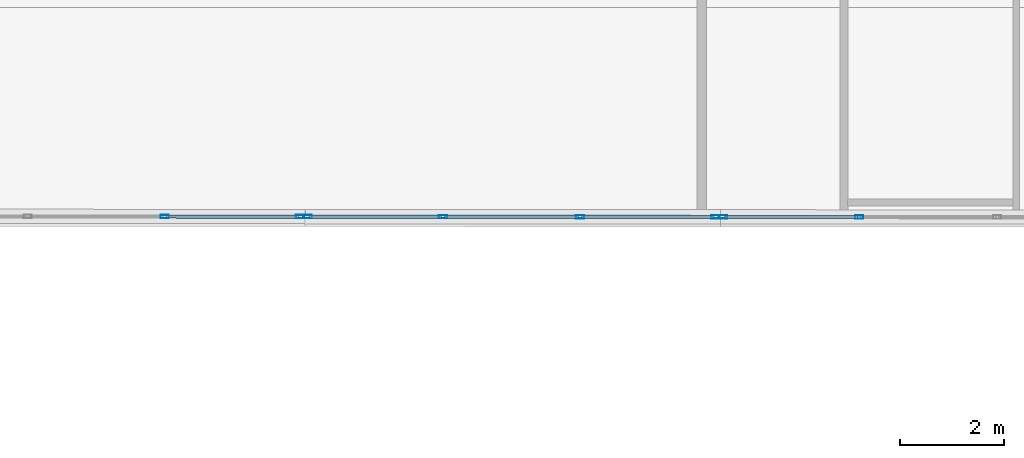
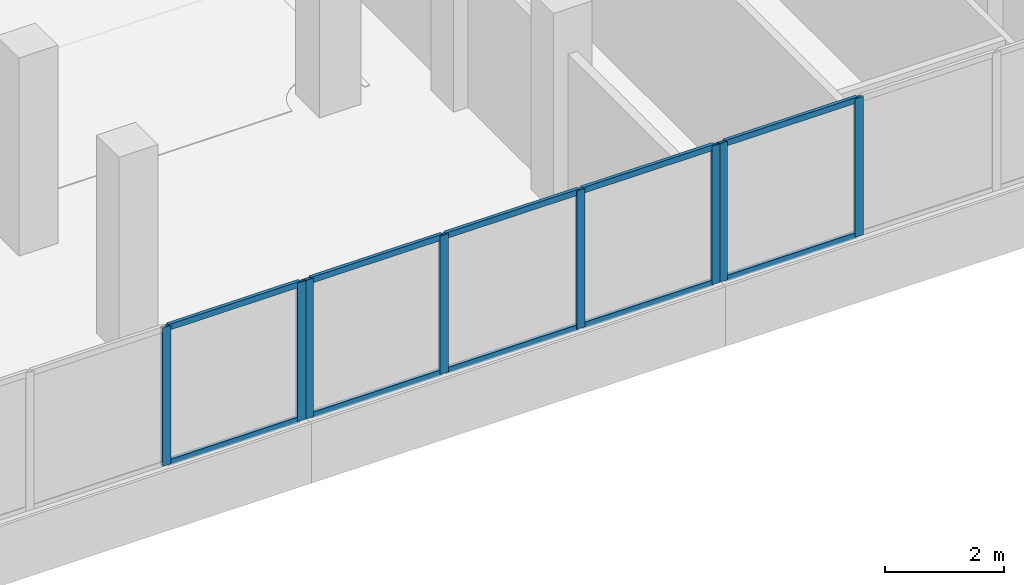
# One storey, part 31 of 101: 18 members, 3 elements without a shape of their own.
"""IFC4 building model written with IfcOpenShell, lengths in metres."""

from ifc_helpers import new_model, si_unit, direction, frame, origin, origin_2d, place, context, subcontext, project, spatial, hollow_rectangle, extrude, material, material_profile, profile_set, type_object, element, aggregate, save


model = new_model("IFC4")

# Units and contexts
model_context = context("Model", 3, precision=1e-05, world=origin(), true_north=direction((0.0, 1.0)))
body_context = subcontext(model_context, "Body", "Model", "MODEL_VIEW")
ifc_project = project(units=[si_unit("LENGTHUNIT", "METRE"), si_unit("AREAUNIT", "SQUARE_METRE"), si_unit("VOLUMEUNIT", "CUBIC_METRE"), si_unit("PLANEANGLEUNIT", "RADIAN"), si_unit("MASSUNIT", "GRAM", prefix="KILO")], contexts=[model_context])

# Site, building, storey
site_placement = place(None, origin())
site = spatial("IfcSite", under=ifc_project, at=site_placement, CompositionType="ELEMENT")
building_placement = place(site_placement, origin())
building = spatial("IfcBuilding", under=site, at=building_placement, Name="Selatvlak General Hospital", CompositionType="ELEMENT")
storey_placement = place(building_placement, frame((0.0, 0.0, 19.199951171875)))
storey = spatial("IfcBuildingStorey", under=building, at=storey_placement, Name="L04", CompositionType="ELEMENT", Elevation=19.199951171875)

# Curtain wall, members
ifc_material_1 = material(Name="Solar-control Low-E double glazing", Category="glass")
curtain_wall_type_1 = type_object("IfcCurtainWallType", Name="CW-CW-02", PredefinedType="USERDEFINED", material=ifc_material_1)
curtain_wall_1_placement = place(storey_placement, origin())
curtain_wall_1 = element("IfcCurtainWall", 1, at=curtain_wall_1_placement, inside=storey, type_object=curtain_wall_type_1, Name="Glazed facade curtain wall CW-L04-0511", ObjectType="UNITISED CURTAIN WALL", PredefinedType="USERDEFINED")
ifc_material_2 = material(Name="Dark anodised aluminium mullion", Category="aluminium")
ifc_material_profile_1 = material_profile(ifc_material_2, hollow_rectangle(XDim=0.06494140625, YDim=0.159912109375, WallThickness=0.00390625, at=origin_2d()), Name="AL-MUL 65x160x4")
ifc_profile_set_1 = profile_set([ifc_material_profile_1], Name="Dark anodised aluminium mullion")
member_type_1 = type_object("IfcMemberType", Name="CWM-01", PredefinedType="MULLION", material=ifc_profile_set_1)
member_1_placement = place(storey_placement, frame((76.234375, 83.96435546875, 0.93994140625), z_axis=(0.0, 0.0, 1.0), x_axis=(-0.000626723363, -0.999999803609, 0.0)))
member_1 = element("IfcMember", 2, at=member_1_placement, type_object=member_type_1, Name="CW-02 mullion 3", PredefinedType="MULLION", context=body_context, shape_type="SweptSolid", body=[
    extrude(hollow_rectangle(XDim=0.06494140625, YDim=0.159912109375, WallThickness=0.00390625, at=origin_2d()), origin(), (0.0, 0.0, 1.0), 2.830078125),
])
member_2_placement = place(storey_placement, frame((73.607421875, 83.966064453125, 0.93994140625), z_axis=(0.0, 0.0, 1.0), x_axis=(-0.000626723363, -0.999999803609, 0.0)))
member_2 = element("IfcMember", 3, at=member_2_placement, type_object=member_type_1, Name="CW-02 mullion 4", PredefinedType="MULLION", context=body_context, shape_type="SweptSolid", body=[
    extrude(hollow_rectangle(XDim=0.06494140625, YDim=0.159912109375, WallThickness=0.00390625, at=origin_2d()), origin(), (0.0, 0.0, 1.0), 2.830078125),
])

curtain_wall_type_2 = type_object("IfcCurtainWallType", Name="CW-CW-01", PredefinedType="USERDEFINED", material=ifc_material_1)
curtain_wall_2_placement = place(storey_placement, origin())
curtain_wall_2 = element("IfcCurtainWall", 4, at=curtain_wall_2_placement, inside=storey, type_object=curtain_wall_type_2, Name="Glazed facade curtain wall CW-L04-0512", ObjectType="UNITISED CURTAIN WALL", PredefinedType="USERDEFINED")
member_3_placement = place(storey_placement, frame((73.46240234375, 83.966064453125, 0.93994140625), z_axis=(0.0, 0.0, 1.0), x_axis=(-0.000756811082, -0.999999713618, 0.0)))
member_3 = element("IfcMember", 5, at=member_3_placement, type_object=member_type_1, Name="CW-01 mullion 1", PredefinedType="MULLION", context=body_context, shape_type="SweptSolid", body=[
    extrude(hollow_rectangle(XDim=0.06494140625, YDim=0.159912109375, WallThickness=0.00390625, at=origin_2d()), origin(), (0.0, 0.0, 1.0), 2.830078125),
])
member_4_placement = place(storey_placement, frame((70.852294921875, 83.968017578125, 0.93994140625), z_axis=(0.0, 0.0, 1.0), x_axis=(-0.000756811082, -0.999999713618, 0.0)))
member_4 = element("IfcMember", 6, at=member_4_placement, type_object=member_type_1, Name="CW-01 mullion 2", PredefinedType="MULLION", context=body_context, shape_type="SweptSolid", body=[
    extrude(hollow_rectangle(XDim=0.06494140625, YDim=0.159912109375, WallThickness=0.00390625, at=origin_2d()), origin(), (0.0, 0.0, 1.0), 2.830078125),
])
member_5_placement = place(storey_placement, frame((68.209716796875, 83.969970703125, 0.93994140625), z_axis=(0.0, 0.0, 1.0), x_axis=(-0.000756811082, -0.999999713618, 0.0)))
member_5 = element("IfcMember", 7, at=member_5_placement, type_object=member_type_1, Name="CW-01 mullion 3", PredefinedType="MULLION", context=body_context, shape_type="SweptSolid", body=[
    extrude(hollow_rectangle(XDim=0.06494140625, YDim=0.159912109375, WallThickness=0.00390625, at=origin_2d()), origin(), (0.0, 0.0, 1.0), 2.830078125),
])
member_6_placement = place(storey_placement, frame((65.599609375, 83.971923828125, 0.93994140625), z_axis=(0.0, 0.0, 1.0), x_axis=(-0.000756811082, -0.999999713618, 0.0)))
member_6 = element("IfcMember", 8, at=member_6_placement, type_object=member_type_1, Name="CW-01 mullion 4", PredefinedType="MULLION", context=body_context, shape_type="SweptSolid", body=[
    extrude(hollow_rectangle(XDim=0.06494140625, YDim=0.159912109375, WallThickness=0.00390625, at=origin_2d()), origin(), (0.0, 0.0, 1.0), 2.830078125),
])

curtain_wall_3_placement = place(storey_placement, origin())
curtain_wall_3 = element("IfcCurtainWall", 9, at=curtain_wall_3_placement, inside=storey, type_object=curtain_wall_type_1, Name="Glazed facade curtain wall CW-L04-0513", ObjectType="UNITISED CURTAIN WALL", PredefinedType="USERDEFINED")
member_7_placement = place(storey_placement, frame((65.45458984375, 83.971923828125, 0.93994140625), z_axis=(0.0, 0.0, 1.0), x_axis=(-0.000630675957, -0.999999801124, 0.0)))
member_7 = element("IfcMember", 10, at=member_7_placement, type_object=member_type_1, Name="CW-02 mullion 1", PredefinedType="MULLION", context=body_context, shape_type="SweptSolid", body=[
    extrude(hollow_rectangle(XDim=0.06494140625, YDim=0.159912109375, WallThickness=0.00390625, at=origin_2d()), origin(), (0.0, 0.0, 1.0), 2.830078125),
])
member_8_placement = place(storey_placement, frame((62.84423828125, 83.9736328125, 0.93994140625), z_axis=(0.0, 0.0, 1.0), x_axis=(-0.000630675957, -0.999999801124, 0.0)))
member_8 = element("IfcMember", 11, at=member_8_placement, type_object=member_type_1, Name="CW-02 mullion 2", PredefinedType="MULLION", context=body_context, shape_type="SweptSolid", body=[
    extrude(hollow_rectangle(XDim=0.06494140625, YDim=0.159912109375, WallThickness=0.00390625, at=origin_2d()), origin(), (0.0, 0.0, 1.0), 2.830078125),
])

# Member
ifc_material_profile_2 = material_profile(ifc_material_2, hollow_rectangle(XDim=0.06494140625, YDim=0.1201171875, WallThickness=0.00390625, at=origin_2d()), Name="AL-TRN 65x120x4")
ifc_profile_set_2 = profile_set([ifc_material_profile_2], Name="Dark anodised aluminium mullion")
member_type_2 = type_object("IfcMemberType", Name="CWT-01", PredefinedType="USERDEFINED", material=ifc_profile_set_2)
member_9_placement = place(storey_placement, frame((76.201904296875, 83.96435546875, 0.97265625), z_axis=(-0.999999777524, 0.000667047688, 0.0), x_axis=(-0.000667047688, -0.999999777524, 0.0)))
member_9 = element("IfcMember", 12, at=member_9_placement, type_object=member_type_2, Name="CW-02 transom 3.1", ObjectType="TRANSOM", PredefinedType="USERDEFINED", context=body_context, shape_type="SweptSolid", body=[
    extrude(hollow_rectangle(XDim=0.06494140625, YDim=0.1201171875, WallThickness=0.00390625, at=origin_2d()), origin(), (0.0, 0.0, 1.0), 2.56201171875),
])

member_10_placement = place(storey_placement, frame((76.201904296875, 83.96435546875, 3.737548828125), z_axis=(-0.999999777524, 0.000667047688, 0.0), x_axis=(-0.000667047688, -0.999999777524, 0.0)))
member_10 = element("IfcMember", 13, at=member_10_placement, type_object=member_type_2, Name="CW-02 transom 3.2", ObjectType="TRANSOM", PredefinedType="USERDEFINED", context=body_context, shape_type="SweptSolid", body=[
    extrude(hollow_rectangle(XDim=0.06494140625, YDim=0.1201171875, WallThickness=0.00390625, at=origin_2d()), origin(), (0.0, 0.0, 1.0), 2.56201171875),
])

aggregate(curtain_wall_1, [member_1, member_2, member_9, member_10])

member_11_placement = place(storey_placement, frame((73.429931640625, 83.966064453125, 0.97265625), z_axis=(-0.999999705559, 0.000767385865, 0.0), x_axis=(-0.000767385865, -0.999999705559, 0.0)))
member_11 = element("IfcMember", 14, at=member_11_placement, type_object=member_type_2, Name="CW-01 transom 1.1", ObjectType="TRANSOM", PredefinedType="USERDEFINED", context=body_context, shape_type="SweptSolid", body=[
    extrude(hollow_rectangle(XDim=0.06494140625, YDim=0.1201171875, WallThickness=0.00390625, at=origin_2d()), origin(), (0.0, 0.0, 1.0), 2.545166015625),
])

member_12_placement = place(storey_placement, frame((73.429931640625, 83.966064453125, 3.737548828125), z_axis=(-0.999999705559, 0.000767385865, 0.0), x_axis=(-0.000767385865, -0.999999705559, 0.0)))
member_12 = element("IfcMember", 15, at=member_12_placement, type_object=member_type_2, Name="CW-01 transom 1.2", ObjectType="TRANSOM", PredefinedType="USERDEFINED", context=body_context, shape_type="SweptSolid", body=[
    extrude(hollow_rectangle(XDim=0.06494140625, YDim=0.1201171875, WallThickness=0.00390625, at=origin_2d()), origin(), (0.0, 0.0, 1.0), 2.545166015625),
])

member_13_placement = place(storey_placement, frame((70.81982421875, 83.968017578125, 0.97265625), z_axis=(-0.999999712931, 0.000757719047, 0.0), x_axis=(-0.000757719047, -0.999999712931, 0.0)))
member_13 = element("IfcMember", 16, at=member_13_placement, type_object=member_type_2, Name="CW-01 transom 2.1", ObjectType="TRANSOM", PredefinedType="USERDEFINED", context=body_context, shape_type="SweptSolid", body=[
    extrude(hollow_rectangle(XDim=0.06494140625, YDim=0.1201171875, WallThickness=0.00390625, at=origin_2d()), origin(), (0.0, 0.0, 1.0), 2.57763671875),
])

member_14_placement = place(storey_placement, frame((70.81982421875, 83.968017578125, 3.737548828125), z_axis=(-0.999999712931, 0.000757719047, 0.0), x_axis=(-0.000757719047, -0.999999712931, 0.0)))
member_14 = element("IfcMember", 17, at=member_14_placement, type_object=member_type_2, Name="CW-01 transom 2.2", ObjectType="TRANSOM", PredefinedType="USERDEFINED", context=body_context, shape_type="SweptSolid", body=[
    extrude(hollow_rectangle(XDim=0.06494140625, YDim=0.1201171875, WallThickness=0.00390625, at=origin_2d()), origin(), (0.0, 0.0, 1.0), 2.57763671875),
])

member_15_placement = place(storey_placement, frame((68.17724609375, 83.969970703125, 0.97265625), z_axis=(-0.999999705559, 0.000767385865, 0.0), x_axis=(-0.000767385865, -0.999999705559, 0.0)))
member_15 = element("IfcMember", 18, at=member_15_placement, type_object=member_type_2, Name="CW-01 transom 3.1", ObjectType="TRANSOM", PredefinedType="USERDEFINED", context=body_context, shape_type="SweptSolid", body=[
    extrude(hollow_rectangle(XDim=0.06494140625, YDim=0.1201171875, WallThickness=0.00390625, at=origin_2d()), origin(), (0.0, 0.0, 1.0), 2.545166015625),
])

member_16_placement = place(storey_placement, frame((68.17724609375, 83.969970703125, 3.737548828125), z_axis=(-0.999999705559, 0.000767385865, 0.0), x_axis=(-0.000767385865, -0.999999705559, 0.0)))
member_16 = element("IfcMember", 19, at=member_16_placement, type_object=member_type_2, Name="CW-01 transom 3.2", ObjectType="TRANSOM", PredefinedType="USERDEFINED", context=body_context, shape_type="SweptSolid", body=[
    extrude(hollow_rectangle(XDim=0.06494140625, YDim=0.1201171875, WallThickness=0.00390625, at=origin_2d()), origin(), (0.0, 0.0, 1.0), 2.545166015625),
])

aggregate(curtain_wall_2, [member_3, member_4, member_5, member_6, member_11, member_12, member_13, member_14, member_15, member_16])

member_17_placement = place(storey_placement, frame((65.422119140625, 83.971923828125, 0.97265625), z_axis=(-0.999999774569, 0.000671462678, 0.0), x_axis=(-0.000671462678, -0.999999774569, 0.0)))
member_17 = element("IfcMember", 20, at=member_17_placement, type_object=member_type_2, Name="CW-02 transom 1.1", ObjectType="TRANSOM", PredefinedType="USERDEFINED", context=body_context, shape_type="SweptSolid", body=[
    extrude(hollow_rectangle(XDim=0.06494140625, YDim=0.1201171875, WallThickness=0.00390625, at=origin_2d()), origin(), (0.0, 0.0, 1.0), 2.545166015625),
])

member_18_placement = place(storey_placement, frame((65.422119140625, 83.971923828125, 3.737548828125), z_axis=(-0.999999774569, 0.000671462678, 0.0), x_axis=(-0.000671462678, -0.999999774569, 0.0)))
member_18 = element("IfcMember", 21, at=member_18_placement, type_object=member_type_2, Name="CW-02 transom 1.2", ObjectType="TRANSOM", PredefinedType="USERDEFINED", context=body_context, shape_type="SweptSolid", body=[
    extrude(hollow_rectangle(XDim=0.06494140625, YDim=0.1201171875, WallThickness=0.00390625, at=origin_2d()), origin(), (0.0, 0.0, 1.0), 2.545166015625),
])

aggregate(curtain_wall_3, [member_7, member_8, member_17, member_18])

save(model, "model.ifc")
